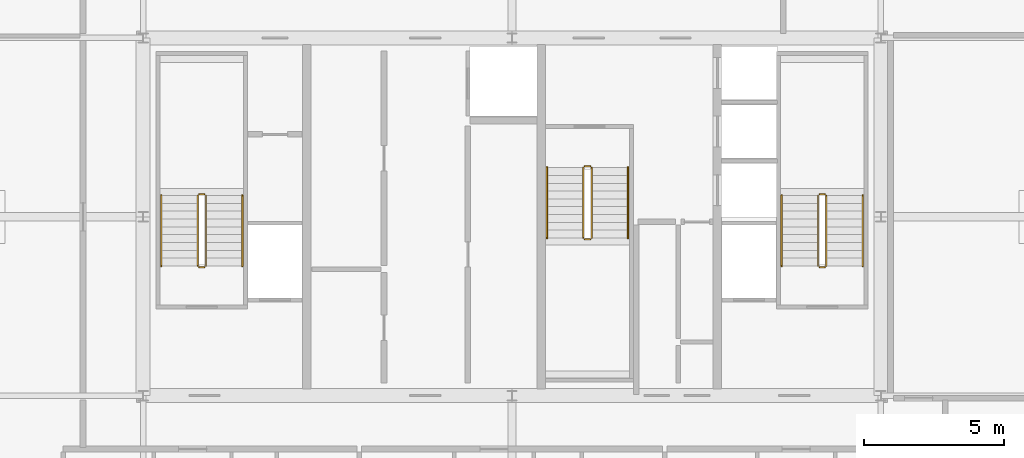
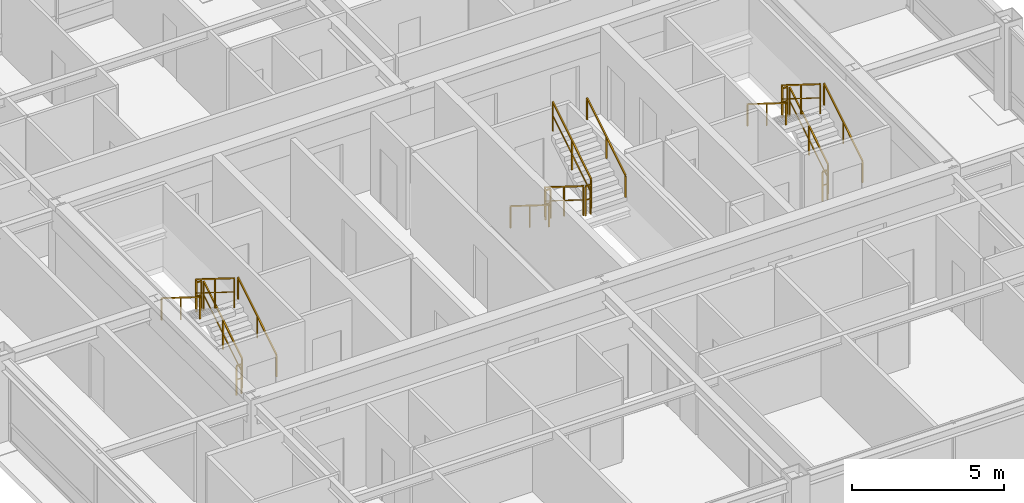
# One storey, part 35 of 35: 18 railings.
"""IFC4 building model written with IfcOpenShell, lengths in metres."""

from ifc_helpers import new_model, si_unit, direction, frame, origin, origin_2d, place, context, subcontext, project, spatial, rectangle, extrude, source, transform, mapped, material, layer, layer_set, type_object, element, save


model = new_model("IFC4")

# Units and contexts
model_context = context("Model", 3, precision=1e-05, world=origin(), true_north=direction((0.0, 1.0)))
body_context = subcontext(model_context, "Body", "Model", "MODEL_VIEW")
ifc_project = project(units=[si_unit("LENGTHUNIT", "METRE"), si_unit("AREAUNIT", "SQUARE_METRE"), si_unit("VOLUMEUNIT", "CUBIC_METRE"), si_unit("PLANEANGLEUNIT", "RADIAN"), si_unit("MASSUNIT", "GRAM", prefix="KILO"), si_unit("THERMODYNAMICTEMPERATUREUNIT", "KELVIN"), si_unit("POWERUNIT", "WATT")], contexts=[model_context])

# Site, building, storey
site_placement = place(None, origin())
site = spatial("IfcSite", under=ifc_project, at=site_placement, CompositionType="ELEMENT")
building_placement = place(site_placement, origin())
building = spatial("IfcBuilding", under=site, at=building_placement, Name="Yuzanri Waterfront Tower", CompositionType="ELEMENT")
storey_placement = place(building_placement, frame((0.0, 0.0, 285.60009765625)))
storey = spatial("IfcBuildingStorey", under=building, at=storey_placement, Name="L76", CompositionType="ELEMENT", Elevation=285.60009765625)

# Railings
ifc_material_1 = material(Name="Painted Galvanized Fire Steel", Category="steel")
ifc_layer_1 = layer(ifc_material_1, 0.06005859375)
ifc_layer_set_1 = layer_set([ifc_layer_1], Name="Painted Galvanized Fire Steel")
railing_type_1 = type_object("IfcRailingType", Name="Painted Steel Stairwell Guardrail 1120", PredefinedType="GUARDRAIL", material=ifc_layer_set_1)
shared_shape_1 = source(origin(), body_context, "Body", "SweptSolid", [
    extrude(rectangle(XDim=0.050048828125, YDim=0.050048828125, at=origin_2d()), frame((0.0, 0.0, 1.1748046875), z_axis=(-1.0, 0.0, 0.0), x_axis=(0.0, -1.0, 0.0)), (0.0, 0.0, 1.0), 0.199951171875),
    extrude(rectangle(XDim=0.035888671875, YDim=0.030029296875, at=origin_2d()), frame((0.0, 0.0, 0.6240234375), z_axis=(-1.0, 0.0, 0.0), x_axis=(0.0, -1.0, 0.0)), (0.0, 0.0, 1.0), 0.199951171875),
    extrude(rectangle(XDim=0.0458984375, YDim=0.0458984375, at=origin_2d()), origin(), (0.0, 0.0, 1.0), 1.14990234375),
    extrude(rectangle(XDim=0.0458984375, YDim=0.0458984375, at=origin_2d()), frame((-0.199951171875, 0.0, 0.0)), (0.0, 0.0, 1.0), 1.14990234375),
])
for number, where, name in (
    (1, (26.0, 26.610107421875, 1.75), "L76 ST-01 stair guard 2"),
    (2, (26.0, 23.989990234375, 0.0), "L76 ST-01 stair guard 4"),
    (3, (48.199951171875, 26.610107421875, 1.75), "L76 ST-02 stair guard 2"),
    (4, (48.199951171875, 23.989990234375, 0.0), "L76 ST-02 stair guard 4"),
):
    element("IfcRailing", number, at=place(storey_placement, frame(where)), inside=storey, type_object=railing_type_1, Name=name, PredefinedType="GUARDRAIL", context=body_context, shape_type="MappedRepresentation", body=[
        mapped(shared_shape_1, transform((0.0, 0.0, 0.0), scale=1.0)),
    ])
shared_shape_2 = source(origin(), body_context, "Body", "SweptSolid", [
    extrude(rectangle(XDim=0.050048828125, YDim=0.050048828125, at=origin_2d()), frame((0.0, 0.0, 1.1748046875), z_axis=(0.0, 0.847970611238, 0.530043245855), x_axis=(-1.0, 0.0, 0.0)), (0.0, 0.0, 1.0), 2.971923828125),
    extrude(rectangle(XDim=0.035888671875, YDim=0.030029296875, at=origin_2d()), frame((0.0, 0.0, 0.6240234375), z_axis=(0.0, 0.847970611238, 0.530043245855), x_axis=(-1.0, 0.0, 0.0)), (0.0, 0.0, 1.0), 2.971923828125),
    extrude(rectangle(XDim=0.0458984375, YDim=0.0458984375, at=origin_2d()), origin(), (0.0, 0.0, 1.0), 1.14990234375),
    extrude(rectangle(XDim=0.0458984375, YDim=0.0458984375, at=origin_2d()), frame((0.0, 1.260009765625, 0.78759765625)), (0.0, 0.0, 1.0), 1.14990234375),
    extrude(rectangle(XDim=0.0458984375, YDim=0.0458984375, at=origin_2d()), frame((0.0, 2.52001953125, 1.5751953125)), (0.0, 0.0, 1.0), 1.14990234375),
])
for number, where, name in (
    (5, (26.050048828125, 24.0400390625, 0.1748046875), "L76 ST-01 stair guard 1"),
    (6, (48.25, 24.0400390625, 0.1748046875), "L76 ST-02 stair guard 1"),
    (7, (39.85009765625, 25.0400390625, 1.9248046875), "L76 ST-03 stair guard 3"),
):
    element("IfcRailing", number, at=place(storey_placement, frame(where)), inside=storey, type_object=railing_type_1, Name=name, PredefinedType="GUARDRAIL", context=body_context, shape_type="MappedRepresentation", body=[
        mapped(shared_shape_2, transform((0.0, 0.0, 0.0), scale=1.0)),
    ])
shared_shape_3 = source(origin(), body_context, "Body", "SweptSolid", [
    extrude(rectangle(XDim=0.050048828125, YDim=0.050048828125, at=origin_2d()), frame((0.0, 0.0, 1.1748046875), z_axis=(0.0, -0.847970611238, 0.530043245855), x_axis=(1.0, 0.0, 0.0)), (0.0, 0.0, 1.0), 2.971923828125),
    extrude(rectangle(XDim=0.035888671875, YDim=0.030029296875, at=origin_2d()), frame((0.0, 0.0, 0.6240234375), z_axis=(0.0, -0.847970611238, 0.530043245855), x_axis=(1.0, 0.0, 0.0)), (0.0, 0.0, 1.0), 2.971923828125),
    extrude(rectangle(XDim=0.0458984375, YDim=0.0458984375, at=origin_2d()), origin(), (0.0, 0.0, 1.0), 1.14990234375),
    extrude(rectangle(XDim=0.0458984375, YDim=0.0458984375, at=origin_2d()), frame((0.0, -1.260009765625, 0.78759765625)), (0.0, 0.0, 1.0), 1.14990234375),
    extrude(rectangle(XDim=0.0458984375, YDim=0.0458984375, at=origin_2d()), frame((0.0, -2.52001953125, 1.5751953125)), (0.0, 0.0, 1.0), 1.14990234375),
])
for number, where, name in (
    (8, (25.75, 26.56005859375, 1.9248046875), "L76 ST-01 stair guard 3"),
    (9, (47.949951171875, 26.56005859375, 1.9248046875), "L76 ST-02 stair guard 3"),
    (10, (39.550048828125, 27.56005859375, 0.1748046875), "L76 ST-03 stair guard 1"),
):
    element("IfcRailing", number, at=place(storey_placement, frame(where)), inside=storey, type_object=railing_type_1, Name=name, PredefinedType="GUARDRAIL", context=body_context, shape_type="MappedRepresentation", body=[
        mapped(shared_shape_3, transform((0.0, 0.0, 0.0), scale=1.0)),
    ])
ifc_material_2 = material(Name="Anodized Architectural Bronze", Category="metal")
ifc_layer_2 = layer(ifc_material_2, 0.050048828125)
ifc_layer_set_2 = layer_set([ifc_layer_2], Name="Anodized Architectural Bronze")
railing_type_2 = type_object("IfcRailingType", Name="Brushed Bronze Stair Pitch Handrail 920", PredefinedType="HANDRAIL", material=ifc_layer_set_2)
shared_shape_4 = source(origin(), body_context, "Body", "SweptSolid", [
    extrude(rectangle(XDim=0.050048828125, YDim=0.050048828125, at=origin_2d()), frame((0.0, 0.0, 0.875), z_axis=(0.0, 0.847970611238, 0.530043245855), x_axis=(-1.0, 0.0, 0.0)), (0.0, 0.0, 1.0), 2.971923828125),
    extrude(rectangle(XDim=0.0458984375, YDim=0.0458984375, at=origin_2d()), origin(), (0.0, 0.0, 1.0), 0.849853515625),
    extrude(rectangle(XDim=0.0458984375, YDim=0.0458984375, at=origin_2d()), frame((0.0, 1.260009765625, 0.78759765625)), (0.0, 0.0, 1.0), 0.849853515625),
    extrude(rectangle(XDim=0.0458984375, YDim=0.0458984375, at=origin_2d()), frame((0.0, 2.52001953125, 1.5751953125)), (0.0, 0.0, 1.0), 0.849853515625),
])
for number, where, name in (
    (11, (27.35009765625, 24.0400390625, 0.1748046875), "L76 ST-01 stair handrail 1"),
    (12, (49.550048828125, 24.0400390625, 0.1748046875), "L76 ST-02 stair handrail 1"),
    (13, (41.14990234375, 25.0400390625, 1.9248046875), "L76 ST-03 stair handrail 2"),
):
    element("IfcRailing", number, at=place(storey_placement, frame(where)), inside=storey, type_object=railing_type_2, Name=name, PredefinedType="HANDRAIL", context=body_context, shape_type="MappedRepresentation", body=[
        mapped(shared_shape_4, transform((0.0, 0.0, 0.0), scale=1.0)),
    ])
shared_shape_5 = source(origin(), body_context, "Body", "SweptSolid", [
    extrude(rectangle(XDim=0.050048828125, YDim=0.050048828125, at=origin_2d()), frame((0.0, 0.0, 0.875), z_axis=(0.0, -0.847970611238, 0.530043245855), x_axis=(1.0, 0.0, 0.0)), (0.0, 0.0, 1.0), 2.971923828125),
    extrude(rectangle(XDim=0.0458984375, YDim=0.0458984375, at=origin_2d()), origin(), (0.0, 0.0, 1.0), 0.849853515625),
    extrude(rectangle(XDim=0.0458984375, YDim=0.0458984375, at=origin_2d()), frame((0.0, -1.260009765625, 0.78759765625)), (0.0, 0.0, 1.0), 0.849853515625),
    extrude(rectangle(XDim=0.0458984375, YDim=0.0458984375, at=origin_2d()), frame((0.0, -2.52001953125, 1.5751953125)), (0.0, 0.0, 1.0), 0.849853515625),
])
for number, where, name in (
    (14, (24.449951171875, 26.56005859375, 1.9248046875), "L76 ST-01 stair handrail 2"),
    (15, (46.64990234375, 26.56005859375, 1.9248046875), "L76 ST-02 stair handrail 2"),
    (16, (38.25, 27.56005859375, 0.1748046875), "L76 ST-03 stair handrail 1"),
):
    element("IfcRailing", number, at=place(storey_placement, frame(where)), inside=storey, type_object=railing_type_2, Name=name, PredefinedType="HANDRAIL", context=body_context, shape_type="MappedRepresentation", body=[
        mapped(shared_shape_5, transform((0.0, 0.0, 0.0), scale=1.0)),
    ])
shared_shape_6 = source(origin(), body_context, "Body", "SweptSolid", [
    extrude(rectangle(XDim=0.050048828125, YDim=0.050048828125, at=origin_2d()), frame((0.0, 0.0, 1.1748046875), z_axis=(1.0, 0.0, 0.0), x_axis=(0.0, 1.0, 0.0)), (0.0, 0.0, 1.0), 0.199951171875),
    extrude(rectangle(XDim=0.035888671875, YDim=0.030029296875, at=origin_2d()), frame((0.0, 0.0, 0.6240234375), z_axis=(1.0, 0.0, 0.0), x_axis=(0.0, 1.0, 0.0)), (0.0, 0.0, 1.0), 0.199951171875),
    extrude(rectangle(XDim=0.0458984375, YDim=0.0458984375, at=origin_2d()), origin(), (0.0, 0.0, 1.0), 1.14990234375),
    extrude(rectangle(XDim=0.0458984375, YDim=0.0458984375, at=origin_2d()), frame((0.199951171875, 0.0, 0.0)), (0.0, 0.0, 1.0), 1.14990234375),
])
for number, where, name in (
    (17, (39.60009765625, 24.989990234375, 1.75), "L76 ST-03 stair guard 2"),
    (18, (39.60009765625, 27.610107421875, 0.0), "L76 ST-03 stair guard 4"),
):
    element("IfcRailing", number, at=place(storey_placement, frame(where)), inside=storey, type_object=railing_type_1, Name=name, PredefinedType="GUARDRAIL", context=body_context, shape_type="MappedRepresentation", body=[
        mapped(shared_shape_6, transform((0.0, 0.0, 0.0), scale=1.0)),
    ])

save(model, "model.ifc")
